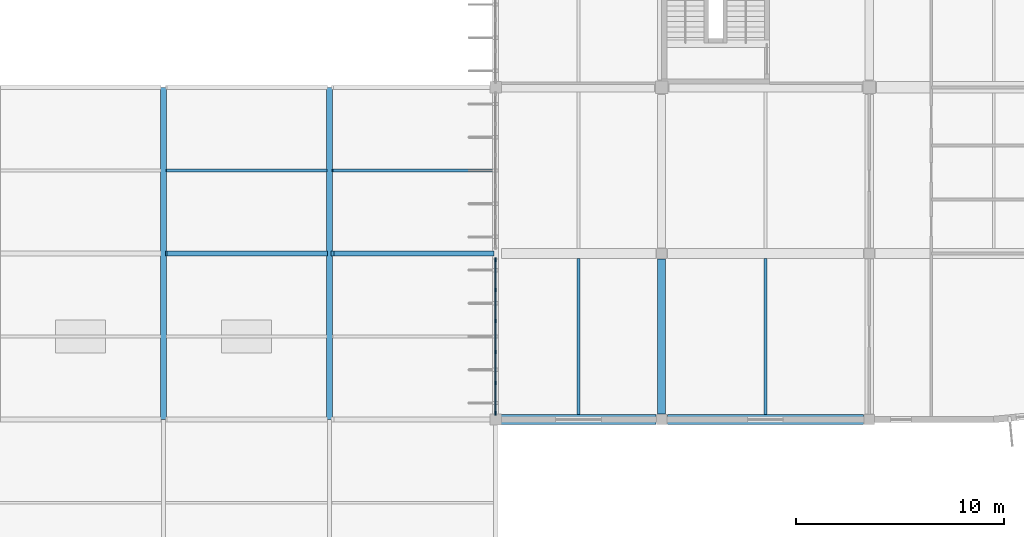
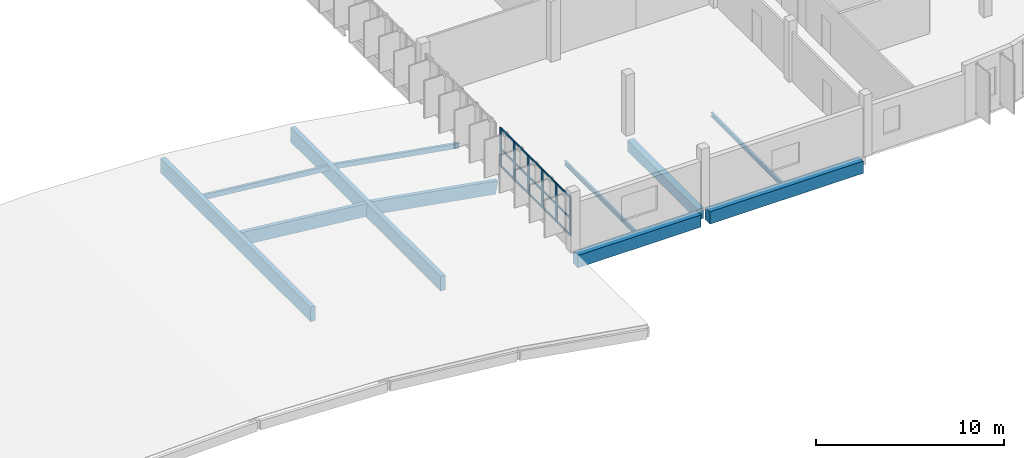
# One storey, part 25 of 66: 23 members, 9 beams, 1 element without a shape of its own.
"""IFC4 building model written with IfcOpenShell, lengths in metres."""

from ifc_helpers import new_model, si_unit, direction, frame, origin, origin_2d, place, context, subcontext, project, spatial, rectangle, i_section, extrude, material, layer, layer_set, material_profile, profile_set, type_object, element, aggregate, save


model = new_model("IFC4")

# Units and contexts
model_context = context("Model", 3, precision=1e-05, world=origin(), true_north=direction((0.0, 1.0)))
body_context = subcontext(model_context, "Body", "Model", "MODEL_VIEW")
ifc_project = project(units=[si_unit("LENGTHUNIT", "METRE"), si_unit("AREAUNIT", "SQUARE_METRE"), si_unit("VOLUMEUNIT", "CUBIC_METRE"), si_unit("PLANEANGLEUNIT", "RADIAN"), si_unit("MASSUNIT", "GRAM", prefix="KILO")], contexts=[model_context])

# Site, building, storey
site_placement = place(None, origin())
site = spatial("IfcSite", under=ifc_project, at=site_placement, CompositionType="ELEMENT")
building_placement = place(site_placement, origin())
building = spatial("IfcBuilding", under=site, at=building_placement, Name="Drelvana Railside Aquatics Centre", CompositionType="ELEMENT")
storey_placement = place(building_placement, frame((0.0, 0.0, 10.199951171875)))
storey = spatial("IfcBuildingStorey", under=building, at=storey_placement, Name="L02", CompositionType="ELEMENT", Elevation=10.199951171875)

# Curtain wall, members
ifc_material_1 = material(Name="Bronze-anodised aluminium curtain wall", Category="aluminium")
ifc_layer = layer(ifc_material_1, 0.175048828125, Name="Bronze-anodised aluminium curtain wall")
ifc_layer_set = layer_set([ifc_layer], Name="Bronze-anodised aluminium curtain wall")
curtain_wall_type = type_object("IfcCurtainWallType", Name="CW-Z6-WING", PredefinedType="NOTDEFINED", material=ifc_layer_set)
curtain_wall_placement = place(storey_placement, origin())
curtain_wall = element("IfcCurtainWall", 1, at=curtain_wall_placement, inside=storey, type_object=curtain_wall_type, Name="Curtain wall CW-06-135", PredefinedType="NOTDEFINED")
ifc_material_2 = material(Name="Bronze-anodised aluminium 6063-T6", Category="aluminium")
ifc_material_profile_1 = material_profile(ifc_material_2, rectangle(XDim=0.06494140625, YDim=0.175048828125, at=origin_2d()), Name="ALU-M 65x175")
ifc_profile_set_1 = profile_set([ifc_material_profile_1], Name="Bronze-anodised aluminium 6063-T6")
member_type_1 = type_object("IfcMemberType", Name="CW-Z6-WING-MUL", PredefinedType="MULLION", material=ifc_profile_set_1)
member_1_placement = place(storey_placement, frame((144.0, 8.301513671875, 0.7939453125), z_axis=(0.0, 0.0, 1.0), x_axis=(-1.0, 0.0, 0.0)))
member_1 = element("IfcMember", 2, at=member_1_placement, type_object=member_type_1, Name="CW-06 mullion 1", PredefinedType="MULLION", context=body_context, shape_type="SweptSolid", body=[
    extrude(rectangle(XDim=0.06494140625, YDim=0.175048828125, at=origin_2d()), origin(), (0.0, 0.0, 1.0), 2.506103515625),
])
member_2_placement = place(storey_placement, frame((144.0, 9.761474609375, 0.7939453125), z_axis=(0.0, 0.0, 1.0), x_axis=(-1.0, 0.0, 0.0)))
member_2 = element("IfcMember", 3, at=member_2_placement, type_object=member_type_1, Name="CW-06 mullion 2", PredefinedType="MULLION", context=body_context, shape_type="SweptSolid", body=[
    extrude(rectangle(XDim=0.06494140625, YDim=0.175048828125, at=origin_2d()), origin(), (0.0, 0.0, 1.0), 2.506103515625),
])
member_3_placement = place(storey_placement, frame((144.0, 11.25390625, 0.7939453125), z_axis=(0.0, 0.0, 1.0), x_axis=(-1.0, 0.0, 0.0)))
member_3 = element("IfcMember", 4, at=member_3_placement, type_object=member_type_1, Name="CW-06 mullion 3", PredefinedType="MULLION", context=body_context, shape_type="SweptSolid", body=[
    extrude(rectangle(XDim=0.06494140625, YDim=0.175048828125, at=origin_2d()), origin(), (0.0, 0.0, 1.0), 2.506103515625),
])
member_4_placement = place(storey_placement, frame((144.0, 12.74609375, 0.7939453125), z_axis=(0.0, 0.0, 1.0), x_axis=(-1.0, 0.0, 0.0)))
member_4 = element("IfcMember", 5, at=member_4_placement, type_object=member_type_1, Name="CW-06 mullion 4", PredefinedType="MULLION", context=body_context, shape_type="SweptSolid", body=[
    extrude(rectangle(XDim=0.06494140625, YDim=0.175048828125, at=origin_2d()), origin(), (0.0, 0.0, 1.0), 2.506103515625),
])
member_5_placement = place(storey_placement, frame((144.0, 14.238525390625, 0.7939453125), z_axis=(0.0, 0.0, 1.0), x_axis=(-1.0, 0.0, 0.0)))
member_5 = element("IfcMember", 6, at=member_5_placement, type_object=member_type_1, Name="CW-06 mullion 5", PredefinedType="MULLION", context=body_context, shape_type="SweptSolid", body=[
    extrude(rectangle(XDim=0.06494140625, YDim=0.175048828125, at=origin_2d()), origin(), (0.0, 0.0, 1.0), 2.506103515625),
])
member_6_placement = place(storey_placement, frame((144.0, 15.698486328125, 0.7939453125), z_axis=(0.0, 0.0, 1.0), x_axis=(-1.0, 0.0, 0.0)))
member_6 = element("IfcMember", 7, at=member_6_placement, type_object=member_type_1, Name="CW-06 mullion 6", PredefinedType="MULLION", context=body_context, shape_type="SweptSolid", body=[
    extrude(rectangle(XDim=0.06494140625, YDim=0.175048828125, at=origin_2d()), origin(), (0.0, 0.0, 1.0), 2.506103515625),
])
ifc_material_profile_2 = material_profile(ifc_material_2, rectangle(XDim=0.1201171875, YDim=0.06005859375, at=origin_2d()), Name="ALU-T 60x120")
ifc_profile_set_2 = profile_set([ifc_material_profile_2], Name="Bronze-anodised aluminium 6063-T6")
member_type_2 = type_object("IfcMemberType", Name="CW-Z6-WING-TRN", PredefinedType="USERDEFINED", material=ifc_profile_set_2)
member_7_placement = place(storey_placement, frame((144.0, 8.3291015625, 0.823974609375), z_axis=(0.0, 1.0, 0.0), x_axis=(0.0, 0.0, 1.0)))
member_7 = element("IfcMember", 8, at=member_7_placement, type_object=member_type_2, Name="CW-06 transom 1.1", ObjectType="TRANSOM", PredefinedType="USERDEFINED", context=body_context, shape_type="SweptSolid", body=[
    extrude(rectangle(XDim=0.1201171875, YDim=0.06005859375, at=origin_2d()), origin(), (0.0, 0.0, 1.0), 1.40478515625),
])
member_8_placement = place(storey_placement, frame((144.0, 8.3291015625, 1.922119140625), z_axis=(0.0, 1.0, 0.0), x_axis=(0.0, 0.0, 1.0)))
member_8 = element("IfcMember", 9, at=member_8_placement, type_object=member_type_2, Name="CW-06 transom 1.2", ObjectType="TRANSOM", PredefinedType="USERDEFINED", context=body_context, shape_type="SweptSolid", body=[
    extrude(rectangle(XDim=0.1201171875, YDim=0.06005859375, at=origin_2d()), origin(), (0.0, 0.0, 1.0), 1.40478515625),
])
member_9_placement = place(storey_placement, frame((144.0, 8.3291015625, 3.27001953125), z_axis=(0.0, 1.0, 0.0), x_axis=(0.0, 0.0, 1.0)))
member_9 = element("IfcMember", 10, at=member_9_placement, type_object=member_type_2, Name="CW-06 transom 1.3", ObjectType="TRANSOM", PredefinedType="USERDEFINED", context=body_context, shape_type="SweptSolid", body=[
    extrude(rectangle(XDim=0.1201171875, YDim=0.06005859375, at=origin_2d()), origin(), (0.0, 0.0, 1.0), 1.40478515625),
])
member_10_placement = place(storey_placement, frame((144.0, 9.788818359375, 0.823974609375), z_axis=(0.0, 1.0, 0.0), x_axis=(0.0, 0.0, 1.0)))
member_10 = element("IfcMember", 11, at=member_10_placement, type_object=member_type_2, Name="CW-06 transom 2.1", ObjectType="TRANSOM", PredefinedType="USERDEFINED", context=body_context, shape_type="SweptSolid", body=[
    extrude(rectangle(XDim=0.1201171875, YDim=0.06005859375, at=origin_2d()), origin(), (0.0, 0.0, 1.0), 1.4375),
])
member_11_placement = place(storey_placement, frame((144.0, 9.788818359375, 1.922119140625), z_axis=(0.0, 1.0, 0.0), x_axis=(0.0, 0.0, 1.0)))
member_11 = element("IfcMember", 12, at=member_11_placement, type_object=member_type_2, Name="CW-06 transom 2.2", ObjectType="TRANSOM", PredefinedType="USERDEFINED", context=body_context, shape_type="SweptSolid", body=[
    extrude(rectangle(XDim=0.1201171875, YDim=0.06005859375, at=origin_2d()), origin(), (0.0, 0.0, 1.0), 1.4375),
])
member_12_placement = place(storey_placement, frame((144.0, 9.788818359375, 3.27001953125), z_axis=(0.0, 1.0, 0.0), x_axis=(0.0, 0.0, 1.0)))
member_12 = element("IfcMember", 13, at=member_12_placement, type_object=member_type_2, Name="CW-06 transom 2.3", ObjectType="TRANSOM", PredefinedType="USERDEFINED", context=body_context, shape_type="SweptSolid", body=[
    extrude(rectangle(XDim=0.1201171875, YDim=0.06005859375, at=origin_2d()), origin(), (0.0, 0.0, 1.0), 1.4375),
])
member_13_placement = place(storey_placement, frame((144.0, 11.28125, 0.823974609375), z_axis=(0.0, 1.0, 0.0), x_axis=(0.0, 0.0, 1.0)))
member_13 = element("IfcMember", 14, at=member_13_placement, type_object=member_type_2, Name="CW-06 transom 3.1", ObjectType="TRANSOM", PredefinedType="USERDEFINED", context=body_context, shape_type="SweptSolid", body=[
    extrude(rectangle(XDim=0.1201171875, YDim=0.06005859375, at=origin_2d()), origin(), (0.0, 0.0, 1.0), 1.4375),
])
member_14_placement = place(storey_placement, frame((144.0, 11.28125, 1.922119140625), z_axis=(0.0, 1.0, 0.0), x_axis=(0.0, 0.0, 1.0)))
member_14 = element("IfcMember", 15, at=member_14_placement, type_object=member_type_2, Name="CW-06 transom 3.2", ObjectType="TRANSOM", PredefinedType="USERDEFINED", context=body_context, shape_type="SweptSolid", body=[
    extrude(rectangle(XDim=0.1201171875, YDim=0.06005859375, at=origin_2d()), origin(), (0.0, 0.0, 1.0), 1.4375),
])
member_15_placement = place(storey_placement, frame((144.0, 11.28125, 3.27001953125), z_axis=(0.0, 1.0, 0.0), x_axis=(0.0, 0.0, 1.0)))
member_15 = element("IfcMember", 16, at=member_15_placement, type_object=member_type_2, Name="CW-06 transom 3.3", ObjectType="TRANSOM", PredefinedType="USERDEFINED", context=body_context, shape_type="SweptSolid", body=[
    extrude(rectangle(XDim=0.1201171875, YDim=0.06005859375, at=origin_2d()), origin(), (0.0, 0.0, 1.0), 1.4375),
])
member_16_placement = place(storey_placement, frame((144.0, 12.773681640625, 0.823974609375), z_axis=(0.0, 1.0, 0.0), x_axis=(0.0, 0.0, 1.0)))
member_16 = element("IfcMember", 17, at=member_16_placement, type_object=member_type_2, Name="CW-06 transom 4.1", ObjectType="TRANSOM", PredefinedType="USERDEFINED", context=body_context, shape_type="SweptSolid", body=[
    extrude(rectangle(XDim=0.1201171875, YDim=0.06005859375, at=origin_2d()), origin(), (0.0, 0.0, 1.0), 1.4375),
])
member_17_placement = place(storey_placement, frame((144.0, 12.773681640625, 1.922119140625), z_axis=(0.0, 1.0, 0.0), x_axis=(0.0, 0.0, 1.0)))
member_17 = element("IfcMember", 18, at=member_17_placement, type_object=member_type_2, Name="CW-06 transom 4.2", ObjectType="TRANSOM", PredefinedType="USERDEFINED", context=body_context, shape_type="SweptSolid", body=[
    extrude(rectangle(XDim=0.1201171875, YDim=0.06005859375, at=origin_2d()), origin(), (0.0, 0.0, 1.0), 1.4375),
])
member_18_placement = place(storey_placement, frame((144.0, 12.773681640625, 3.27001953125), z_axis=(0.0, 1.0, 0.0), x_axis=(0.0, 0.0, 1.0)))
member_18 = element("IfcMember", 19, at=member_18_placement, type_object=member_type_2, Name="CW-06 transom 4.3", ObjectType="TRANSOM", PredefinedType="USERDEFINED", context=body_context, shape_type="SweptSolid", body=[
    extrude(rectangle(XDim=0.1201171875, YDim=0.06005859375, at=origin_2d()), origin(), (0.0, 0.0, 1.0), 1.4375),
])
member_19_placement = place(storey_placement, frame((144.0, 14.26611328125, 0.823974609375), z_axis=(0.0, 1.0, 0.0), x_axis=(0.0, 0.0, 1.0)))
member_19 = element("IfcMember", 20, at=member_19_placement, type_object=member_type_2, Name="CW-06 transom 5.1", ObjectType="TRANSOM", PredefinedType="USERDEFINED", context=body_context, shape_type="SweptSolid", body=[
    extrude(rectangle(XDim=0.1201171875, YDim=0.06005859375, at=origin_2d()), origin(), (0.0, 0.0, 1.0), 1.40478515625),
])
member_20_placement = place(storey_placement, frame((144.0, 14.26611328125, 1.922119140625), z_axis=(0.0, 1.0, 0.0), x_axis=(0.0, 0.0, 1.0)))
member_20 = element("IfcMember", 21, at=member_20_placement, type_object=member_type_2, Name="CW-06 transom 5.2", ObjectType="TRANSOM", PredefinedType="USERDEFINED", context=body_context, shape_type="SweptSolid", body=[
    extrude(rectangle(XDim=0.1201171875, YDim=0.06005859375, at=origin_2d()), origin(), (0.0, 0.0, 1.0), 1.40478515625),
])
member_21_placement = place(storey_placement, frame((144.0, 14.26611328125, 3.27001953125), z_axis=(0.0, 1.0, 0.0), x_axis=(0.0, 0.0, 1.0)))
member_21 = element("IfcMember", 22, at=member_21_placement, type_object=member_type_2, Name="CW-06 transom 5.3", ObjectType="TRANSOM", PredefinedType="USERDEFINED", context=body_context, shape_type="SweptSolid", body=[
    extrude(rectangle(XDim=0.1201171875, YDim=0.06005859375, at=origin_2d()), origin(), (0.0, 0.0, 1.0), 1.40478515625),
])
aggregate(curtain_wall, [member_1, member_2, member_3, member_4, member_5, member_6, member_7, member_8, member_9, member_10, member_11, member_12, member_13, member_14, member_15, member_16, member_17, member_18, member_19, member_20, member_21])

# Beams
ifc_material_3 = material(Name="Concrete C40/50", Category="concrete")
ifc_material_profile_3 = material_profile(ifc_material_3, rectangle(XDim=0.39990234375, YDim=0.699951171875, at=origin_2d()), Name="RC 400x700")
ifc_profile_set_3 = profile_set([ifc_material_profile_3], Name="Concrete C40/50")
beam_type_1 = type_object("IfcBeamType", Name="STR-BM-BM-03-RC-400x700", PredefinedType="BEAM", material=ifc_profile_set_3)
beam_1_placement = place(storey_placement, frame((152.0, 8.27490234375, -0.599853515625), z_axis=(0.0, 1.0, 0.0), x_axis=(-1.0, 0.0, 0.0)))
element("IfcBeam", 23, at=beam_1_placement, inside=storey, type_object=beam_type_1, Name="Girder BM-03 (L02)", PredefinedType="BEAM", context=body_context, shape_type="SweptSolid", body=[
    extrude(rectangle(XDim=0.39990234375, YDim=0.699951171875, at=origin_2d()), origin(), (0.0, 0.0, 1.0), 7.4501953125),
])
ifc_material_profile_4 = material_profile(ifc_material_3, rectangle(XDim=0.5, YDim=0.800048828125, at=origin_2d()), Name="RC 500x800")
ifc_profile_set_4 = profile_set([ifc_material_profile_4], Name="Concrete C40/50")
beam_type_2 = type_object("IfcBeamType", Name="STR-BM-BM-06-RC-500x800", PredefinedType="SPANDREL", material=ifc_profile_set_4)
beam_2_placement = place(storey_placement, frame((144.14990234375, 8.0, -0.64990234375), z_axis=(1.0, 0.0, 0.0), x_axis=(0.0, 1.0, 0.0)))
element("IfcBeam", 24, at=beam_2_placement, inside=storey, type_object=beam_type_2, Name="Girder BM-06 (L02)", PredefinedType="SPANDREL", context=body_context, shape_type="SweptSolid", body=[
    extrude(rectangle(XDim=0.5, YDim=0.800048828125, at=origin_2d()), origin(), (0.0, 0.0, 1.0), 7.5751953125),
])
beam_3_placement = place(storey_placement, frame((152.27490234375, 8.0, -0.64990234375), z_axis=(1.0, 0.0, 0.0), x_axis=(0.0, 1.0, 0.0)))
element("IfcBeam", 25, at=beam_3_placement, inside=storey, type_object=beam_type_2, Name="Girder BM-06 (L02)", PredefinedType="SPANDREL", context=body_context, shape_type="SweptSolid", body=[
    extrude(rectangle(XDim=0.5, YDim=0.800048828125, at=origin_2d()), origin(), (0.0, 0.0, 1.0), 9.4501953125),
])
ifc_material_4 = material(Name="Glulam timber GL28h", Category="wood")
ifc_material_profile_5 = material_profile(ifc_material_4, rectangle(XDim=0.239990234375, YDim=0.840087890625, at=origin_2d()), Name="GL28h 240x840")
ifc_profile_set_5 = profile_set([ifc_material_profile_5], Name="Glulam timber GL28h")
beam_type_3 = type_object("IfcBeamType", Name="STR-GLB-GA-02", PredefinedType="BEAM", material=ifc_profile_set_5)
beam_4_placement = place(storey_placement, frame((128.135009765625, 16.0, 1.48828125), z_axis=(0.994689797807, 0.0, -0.102918444116), x_axis=(0.0, 1.0, 0.0)))
element("IfcBeam", 26, at=beam_4_placement, inside=storey, type_object=beam_type_3, Name="Entrance Foyer vault arch Y16.5", PredefinedType="BEAM", context=body_context, shape_type="SweptSolid", body=[
    extrude(rectangle(XDim=0.239990234375, YDim=0.840087890625, at=origin_2d()), origin(), (0.0, 0.0, 1.0), 7.771240234375),
])
beam_5_placement = place(storey_placement, frame((136.135009765625, 16.0, 0.6884765625), z_axis=(0.985444297957, 0.0, -0.169998634181), x_axis=(0.0, 1.0, 0.0)))
element("IfcBeam", 27, at=beam_5_placement, inside=storey, type_object=beam_type_3, Name="Entrance Foyer vault arch Y16.6", PredefinedType="BEAM", context=body_context, shape_type="SweptSolid", body=[
    extrude(rectangle(XDim=0.239990234375, YDim=0.840087890625, at=origin_2d()), origin(), (0.0, 0.0, 1.0), 7.84423828125),
])
ifc_material_profile_6 = material_profile(ifc_material_4, rectangle(XDim=0.280029296875, YDim=0.9599609375, at=origin_2d()), Name="GL28h 280x960")
ifc_profile_set_6 = profile_set([ifc_material_profile_6], Name="Glulam timber GL28h")
beam_type_4 = type_object("IfcBeamType", Name="STR-GLB-GA-03", PredefinedType="BEAM", material=ifc_profile_set_6)
for number, where, z_axis, x_axis, name in (
    (28, (128.0, 8.0, 1.46337890625), (0.0, 1.0, 0.0), (-1.0, 0.0, 0.0), "Entrance Foyer vault portal beam X128-N"),
    (29, (136.0, 8.0, 0.663330078125), (0.0, 1.0, 0.0), (-1.0, 0.0, 0.0), "Entrance Foyer vault portal beam X136-N"),
):
    element("IfcBeam", number, at=place(storey_placement, frame(where, z_axis=z_axis, x_axis=x_axis)), inside=storey, type_object=beam_type_4, Name=name, PredefinedType="BEAM", context=body_context, shape_type="SweptSolid", body=[
        extrude(rectangle(XDim=0.280029296875, YDim=0.9599609375, at=origin_2d()), origin(), (0.0, 0.0, 1.0), 16.0),
    ])

# Members
ifc_material_profile_7 = material_profile(ifc_material_4, rectangle(XDim=0.159912109375, YDim=0.320068359375, at=origin_2d()), Name="GL28h 160x320")
ifc_profile_set_7 = profile_set([ifc_material_profile_7], Name="Glulam timber GL28h")
member_type_3 = type_object("IfcMemberType", Name="STR-GLM-GR-01", PredefinedType="RAFTER", material=ifc_profile_set_7)
member_22_placement = place(storey_placement, frame((128.135009765625, 20.0, 1.748291015625), z_axis=(0.994689797807, 0.0, -0.102918444116), x_axis=(0.0, 1.0, 0.0)))
element("IfcMember", 30, at=member_22_placement, inside=storey, type_object=member_type_3, Name="Entrance Foyer vault purlin Y20.5", PredefinedType="RAFTER", context=body_context, shape_type="SweptSolid", body=[
    extrude(rectangle(XDim=0.159912109375, YDim=0.320068359375, at=origin_2d()), origin(), (0.0, 0.0, 1.0), 7.771240234375),
])
member_23_placement = place(storey_placement, frame((136.135009765625, 20.0, 0.948486328125), z_axis=(0.985444297957, 0.0, -0.169998634181), x_axis=(0.0, 1.0, 0.0)))
element("IfcMember", 31, at=member_23_placement, inside=storey, type_object=member_type_3, Name="Entrance Foyer vault purlin Y20.6", PredefinedType="RAFTER", context=body_context, shape_type="SweptSolid", body=[
    extrude(rectangle(XDim=0.159912109375, YDim=0.320068359375, at=origin_2d()), origin(), (0.0, 0.0, 1.0), 7.84423828125),
])

# Beams
ifc_material_5 = material(Name="Structural steel S355", Category="steel")
ifc_material_profile_8 = material_profile(ifc_material_5, i_section(OverallWidth=0.135009765625, OverallDepth=0.27001953125, WebThickness=0.006591796875, FlangeThickness=0.01025390625, at=origin_2d()), Name="IPE 270")
ifc_profile_set_8 = profile_set([ifc_material_profile_8], Name="Structural steel S355")
beam_type_5 = type_object("IfcBeamType", Name="STR-SBM-SJ-02-IPE-270", PredefinedType="JOIST", material=ifc_profile_set_8)
for number, where, z_axis, x_axis, name in (
    (32, (148.0, 8.25, -0.385009765625), (0.0, 1.0, 0.0), (-1.0, 0.0, 0.0), "Secondary floor joist SJ-02 (L02)"),
    (33, (157.0, 8.25, -0.385009765625), (0.0, 1.0, 0.0), (-1.0, 0.0, 0.0), "Secondary floor joist SJ-02 (L02)"),
):
    element("IfcBeam", number, at=place(storey_placement, frame(where, z_axis=z_axis, x_axis=x_axis)), inside=storey, type_object=beam_type_5, Name=name, PredefinedType="JOIST", context=body_context, shape_type="SweptSolid", body=[
        extrude(i_section(OverallWidth=0.135009765625, OverallDepth=0.27001953125, WebThickness=0.006591796875, FlangeThickness=0.01025390625, at=origin_2d()), origin(), (0.0, 0.0, 1.0), 7.5),
    ])

save(model, "model.ifc")
